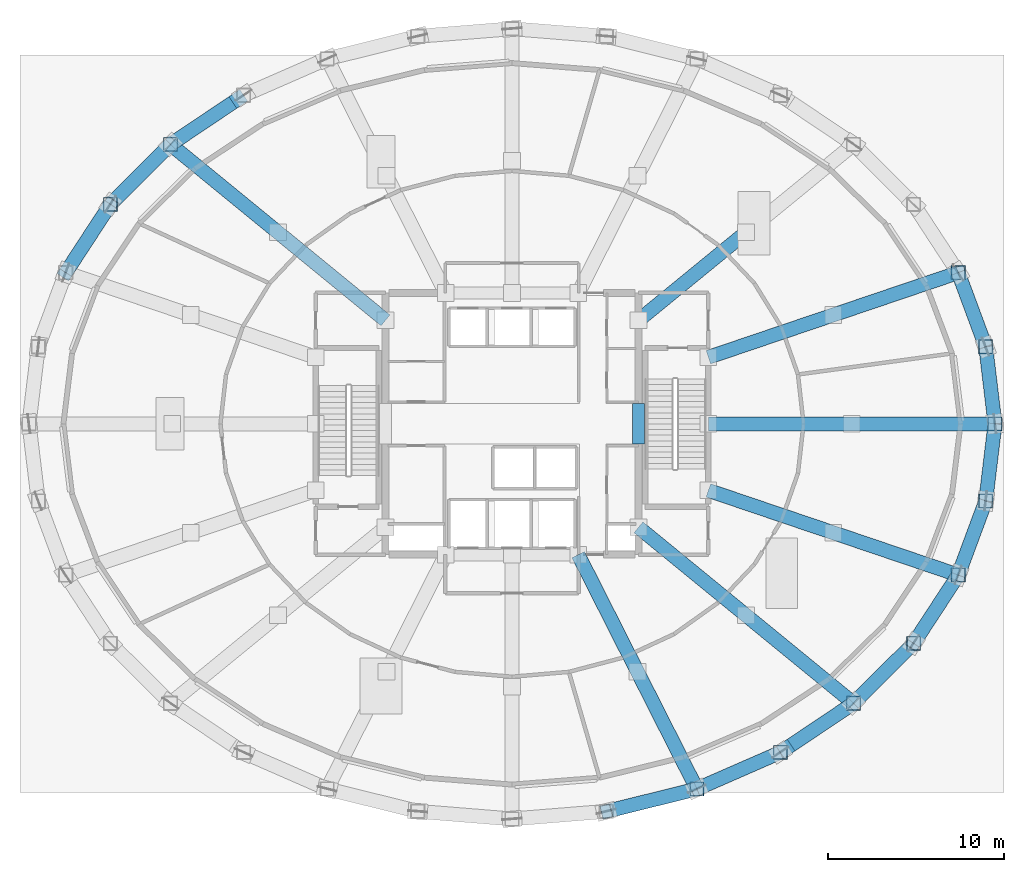
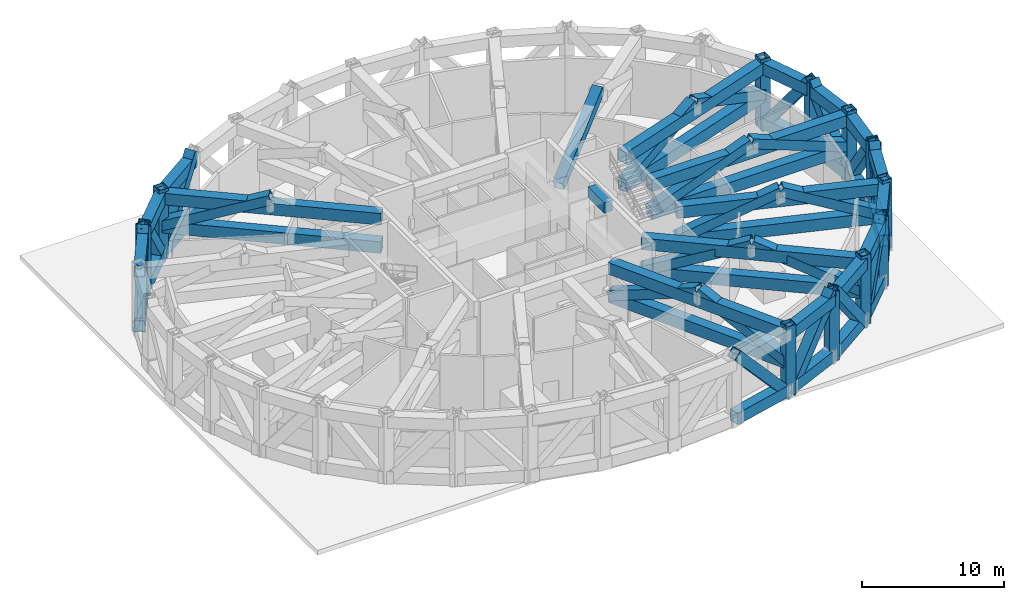
# One storey, part 2 of 12: 36 beams, 35 members.
"""IFC4 building model written with IfcOpenShell, lengths in metres."""

from ifc_helpers import new_model, si_unit, direction, frame, origin, origin_2d, place, context, subcontext, project, spatial, rectangle, hollow_rectangle, extrude, material, material_profile, profile_set, type_object, element, save


model = new_model("IFC4")

# Units and contexts
model_context = context("Model", 3, precision=1e-05, world=origin(), true_north=direction((0.0, 1.0)))
body_context = subcontext(model_context, "Body", "Model", "MODEL_VIEW")
ifc_project = project(units=[si_unit("LENGTHUNIT", "METRE"), si_unit("AREAUNIT", "SQUARE_METRE"), si_unit("VOLUMEUNIT", "CUBIC_METRE"), si_unit("PLANEANGLEUNIT", "RADIAN"), si_unit("MASSUNIT", "GRAM", prefix="KILO")], contexts=[model_context])

# Site, building, storey
site_placement = place(None, origin())
site = spatial("IfcSite", under=ifc_project, at=site_placement, CompositionType="ELEMENT")
building_placement = place(site_placement, origin())
building = spatial("IfcBuilding", under=site, at=building_placement, Name="Veldorina Hangang Commons", CompositionType="ELEMENT")
storey_placement = place(building_placement, frame((0.0, 0.0, 24.39990234375)))
storey = spatial("IfcBuildingStorey", under=building, at=storey_placement, Name="L05", CompositionType="ELEMENT", Elevation=24.39990234375)

# Beams
ifc_material_1 = material(Name="Concrete C70/85", Category="concrete")
ifc_material_profile_1 = material_profile(ifc_material_1, rectangle(XDim=0.699951171875, YDim=0.89990234375, at=origin_2d()), Name="RC-CB-700x900")
ifc_profile_set_1 = profile_set([ifc_material_profile_1], Name="Concrete C70/85")
beam_type_1 = type_object("IfcBeamType", Name="BM-CB900", PredefinedType="LINTEL", material=ifc_profile_set_1)
beam_1_placement = place(storey_placement, frame((39.199951171875, 22.85009765625, 5.2900390625), z_axis=(0.0, 1.0, 0.0), x_axis=(-1.0, 0.0, 0.0)))
element("IfcBeam", 1, at=beam_1_placement, inside=storey, type_object=beam_type_1, Name="L05 E core coupling lintel beam", PredefinedType="LINTEL", context=body_context, shape_type="SweptSolid", body=[
    extrude(rectangle(XDim=0.699951171875, YDim=0.89990234375, at=origin_2d()), origin(), (0.0, 0.0, 1.0), 2.2998046875),
])
ifc_material_2 = material(Name="Steel SM490-TMC", Category="steel")
ifc_material_profile_2 = material_profile(ifc_material_2, hollow_rectangle(XDim=0.800048828125, YDim=1.0, WallThickness=0.044921875, at=origin_2d()), Name="BOX-1000x800x45")
ifc_profile_set_2 = profile_set([ifc_material_profile_2], Name="Steel SM490-TMC")
beam_type_2 = type_object("IfcBeamType", Name="BM-TRF1000", PredefinedType="BEAM", material=ifc_profile_set_2)
for number, where, z_axis, x_axis, name in (
    (2, (59.5, 24.0, 5.239990234375), (-0.119500148591, 0.992834182775, 0.0), (-0.992834182775, -0.119500148591, 0.0), "L05 transfer truss top chord 00"),
    (3, (59.5, 24.0, 0.5), (-0.119500148591, 0.992834182775, 0.0), (-0.992834182775, -0.119500148591, 0.0), "L05 transfer truss bottom chord 00"),
):
    element("IfcBeam", number, at=place(storey_placement, frame(where, z_axis=z_axis, x_axis=x_axis)), inside=storey, type_object=beam_type_2, Name=name, PredefinedType="BEAM", context=body_context, shape_type="SweptSolid", body=[
        extrude(hollow_rectangle(XDim=0.800048828125, YDim=1.0, WallThickness=0.044921875, at=origin_2d()), origin(), (0.0, 0.0, 1.0), 4.421142578125),
    ])
for number, where, z_axis, x_axis, name in (
    (4, (58.9716796875, 28.389404296875, 5.239990234375), (-0.347632274858, 0.937630951642, 0.0), (-0.937630951642, -0.347632274858, 0.0), "L05 transfer truss top chord 01"),
    (5, (58.9716796875, 28.389404296875, 0.5), (-0.347632274858, 0.937630951642, 0.0), (-0.937630951642, -0.347632274858, 0.0), "L05 transfer truss bottom chord 01"),
):
    element("IfcBeam", number, at=place(storey_placement, frame(where, z_axis=z_axis, x_axis=x_axis)), inside=storey, type_object=beam_type_2, Name=name, PredefinedType="BEAM", context=body_context, shape_type="SweptSolid", body=[
        extrude(hollow_rectangle(XDim=0.800048828125, YDim=1.0, WallThickness=0.044921875, at=origin_2d()), origin(), (0.0, 0.0, 1.0), 4.501708984375),
    ])
for number, where, z_axis, x_axis, name in (
    (6, (16.7216796875, 42.7080078125, 5.239990234375), (-0.830197333269, -0.557469629517, 0.0), (0.557469629517, -0.830197333269, 0.0), "L05 transfer truss top chord 11"),
    (7, (16.7216796875, 42.7080078125, 0.5), (-0.830197333269, -0.557469629517, 0.0), (0.557469629517, -0.830197333269, 0.0), "L05 transfer truss bottom chord 11"),
):
    element("IfcBeam", number, at=place(storey_placement, frame(where, z_axis=z_axis, x_axis=x_axis)), inside=storey, type_object=beam_type_2, Name=name, PredefinedType="BEAM", context=body_context, shape_type="SweptSolid", body=[
        extrude(hollow_rectangle(XDim=0.800048828125, YDim=1.0, WallThickness=0.044921875, at=origin_2d()), origin(), (0.0, 0.0, 1.0), 5.019287109375),
    ])
for number, where, z_axis, x_axis, name in (
    (8, (12.5546875, 39.909912109375, 5.239990234375), (-0.708192829004, -0.706019062736, 0.0), (0.706019062736, -0.708192829004, 0.0), "L05 transfer truss top chord 12"),
    (9, (12.5546875, 39.909912109375, 0.5), (-0.708192829004, -0.706019062736, 0.0), (0.706019062736, -0.708192829004, 0.0), "L05 transfer truss bottom chord 12"),
):
    element("IfcBeam", number, at=place(storey_placement, frame(where, z_axis=z_axis, x_axis=x_axis)), inside=storey, type_object=beam_type_2, Name=name, PredefinedType="BEAM", context=body_context, shape_type="SweptSolid", body=[
        extrude(hollow_rectangle(XDim=0.800048828125, YDim=1.0, WallThickness=0.044921875, at=origin_2d()), origin(), (0.0, 0.0, 1.0), 4.829345703125),
    ])
for number, where, z_axis, x_axis, name in (
    (10, (9.134521484375, 36.500244140625, 5.239990234375), (-0.546927961762, -0.837179672856, 0.0), (0.837179672856, -0.546927961762, 0.0), "L05 transfer truss top chord 13"),
    (11, (9.134521484375, 36.500244140625, 0.5), (-0.546927961762, -0.837179672856, 0.0), (0.837179672856, -0.546927961762, 0.0), "L05 transfer truss bottom chord 13"),
):
    element("IfcBeam", number, at=place(storey_placement, frame(where, z_axis=z_axis, x_axis=x_axis)), inside=storey, type_object=beam_type_2, Name=name, PredefinedType="BEAM", context=body_context, shape_type="SweptSolid", body=[
        extrude(hollow_rectangle(XDim=0.800048828125, YDim=1.0, WallThickness=0.044921875, at=origin_2d()), origin(), (0.0, 0.0, 1.0), 4.646484375),
    ])
beam_2_placement = place(storey_placement, frame((37.364990234375, 1.932373046875, 0.5), z_axis=(0.970557168318, 0.240870884556, 0.0), x_axis=(-0.240870884556, 0.970557168318, 0.0)))
element("IfcBeam", 12, at=beam_2_placement, inside=storey, type_object=beam_type_2, Name="L05 transfer truss bottom chord 25", PredefinedType="BEAM", context=body_context, shape_type="SweptSolid", body=[
    extrude(hollow_rectangle(XDim=0.800048828125, YDim=1.0, WallThickness=0.044921875, at=origin_2d()), origin(), (0.0, 0.0, 1.0), 5.315185546875),
])
for number, where, z_axis, x_axis, name in (
    (13, (42.523681640625, 3.212646484375, 5.239990234375), (0.916214551617, 0.400688027529, 0.0), (-0.400688027529, 0.916214551617, 0.0), "L05 transfer truss top chord 26"),
    (14, (42.523681640625, 3.212646484375, 0.5), (0.916214551617, 0.400688027529, 0.0), (-0.400688027529, 0.916214551617, 0.0), "L05 transfer truss bottom chord 26"),
):
    element("IfcBeam", number, at=place(storey_placement, frame(where, z_axis=z_axis, x_axis=x_axis)), inside=storey, type_object=beam_type_2, Name=name, PredefinedType="BEAM", context=body_context, shape_type="SweptSolid", body=[
        extrude(hollow_rectangle(XDim=0.800048828125, YDim=1.0, WallThickness=0.044921875, at=origin_2d()), origin(), (0.0, 0.0, 1.0), 5.189453125),
    ])
for number, where, z_axis, x_axis, name in (
    (15, (47.2783203125, 5.2919921875, 5.239990234375), (0.830197333269, 0.557469629517, 0.0), (-0.557469629517, 0.830197333269, 0.0), "L05 transfer truss top chord 27"),
    (16, (47.2783203125, 5.2919921875, 0.5), (0.830197333269, 0.557469629517, 0.0), (-0.557469629517, 0.830197333269, 0.0), "L05 transfer truss bottom chord 27"),
):
    element("IfcBeam", number, at=place(storey_placement, frame(where, z_axis=z_axis, x_axis=x_axis)), inside=storey, type_object=beam_type_2, Name=name, PredefinedType="BEAM", context=body_context, shape_type="SweptSolid", body=[
        extrude(hollow_rectangle(XDim=0.800048828125, YDim=1.0, WallThickness=0.044921875, at=origin_2d()), origin(), (0.0, 0.0, 1.0), 5.019287109375),
    ])
for number, where, z_axis, x_axis, name in (
    (17, (51.4453125, 8.090087890625, 5.239990234375), (0.708192829004, 0.706019062736, 0.0), (-0.706019062736, 0.708192829004, 0.0), "L05 transfer truss top chord 28"),
    (18, (51.4453125, 8.090087890625, 0.5), (0.708192829004, 0.706019062736, 0.0), (-0.706019062736, 0.708192829004, 0.0), "L05 transfer truss bottom chord 28"),
):
    element("IfcBeam", number, at=place(storey_placement, frame(where, z_axis=z_axis, x_axis=x_axis)), inside=storey, type_object=beam_type_2, Name=name, PredefinedType="BEAM", context=body_context, shape_type="SweptSolid", body=[
        extrude(hollow_rectangle(XDim=0.800048828125, YDim=1.0, WallThickness=0.044921875, at=origin_2d()), origin(), (0.0, 0.0, 1.0), 4.829345703125),
    ])
for number, where, z_axis, x_axis, name in (
    (19, (54.865478515625, 11.499755859375, 5.239990234375), (0.546927961762, 0.837179672856, 0.0), (-0.837179672856, 0.546927961762, 0.0), "L05 transfer truss top chord 29"),
    (20, (54.865478515625, 11.499755859375, 0.5), (0.546927961762, 0.837179672856, 0.0), (-0.837179672856, 0.546927961762, 0.0), "L05 transfer truss bottom chord 29"),
):
    element("IfcBeam", number, at=place(storey_placement, frame(where, z_axis=z_axis, x_axis=x_axis)), inside=storey, type_object=beam_type_2, Name=name, PredefinedType="BEAM", context=body_context, shape_type="SweptSolid", body=[
        extrude(hollow_rectangle(XDim=0.800048828125, YDim=1.0, WallThickness=0.044921875, at=origin_2d()), origin(), (0.0, 0.0, 1.0), 4.646484375),
    ])
for number, where, z_axis, x_axis, name in (
    (21, (57.40673828125, 15.3896484375, 5.239990234375), (0.347632274858, 0.937630951642, 0.0), (-0.937630951642, 0.347632274858, 0.0), "L05 transfer truss top chord 30"),
    (22, (57.40673828125, 15.3896484375, 0.5), (0.347632274858, 0.937630951642, 0.0), (-0.937630951642, 0.347632274858, 0.0), "L05 transfer truss bottom chord 30"),
):
    element("IfcBeam", number, at=place(storey_placement, frame(where, z_axis=z_axis, x_axis=x_axis)), inside=storey, type_object=beam_type_2, Name=name, PredefinedType="BEAM", context=body_context, shape_type="SweptSolid", body=[
        extrude(hollow_rectangle(XDim=0.800048828125, YDim=1.0, WallThickness=0.044921875, at=origin_2d()), origin(), (0.0, 0.0, 1.0), 4.501708984375),
    ])
for number, where, z_axis, x_axis, name in (
    (23, (58.9716796875, 19.610595703125, 5.239990234375), (0.119500148591, 0.992834182775, 0.0), (-0.992834182775, 0.119500148591, 0.0), "L05 transfer truss top chord 31"),
    (24, (58.9716796875, 19.610595703125, 0.5), (0.119500148591, 0.992834182775, 0.0), (-0.992834182775, 0.119500148591, 0.0), "L05 transfer truss bottom chord 31"),
):
    element("IfcBeam", number, at=place(storey_placement, frame(where, z_axis=z_axis, x_axis=x_axis)), inside=storey, type_object=beam_type_2, Name=name, PredefinedType="BEAM", context=body_context, shape_type="SweptSolid", body=[
        extrude(hollow_rectangle(XDim=0.800048828125, YDim=1.0, WallThickness=0.044921875, at=origin_2d()), origin(), (0.0, 0.0, 1.0), 4.421142578125),
    ])
for number, where, z_axis, x_axis, name in (
    (25, (43.179931640625, 24.0, 5.239990234375), (1.0, 0.0, 0.0), (0.0, 1.0, 0.0), "L05 radial transfer top girder 01"),
    (26, (43.179931640625, 24.0, 2.800048828125), (1.0, 0.0, 0.0), (0.0, 1.0, 0.0), "L05 radial transfer bottom girder 01"),
):
    element("IfcBeam", number, at=place(storey_placement, frame(where, z_axis=z_axis, x_axis=x_axis)), inside=storey, type_object=beam_type_2, Name=name, PredefinedType="BEAM", context=body_context, shape_type="SweptSolid", body=[
        extrude(hollow_rectangle(XDim=0.800048828125, YDim=1.0, WallThickness=0.044921875, at=origin_2d()), origin(), (0.0, 0.0, 1.0), 16.320068359375),
    ])
for number, where, z_axis, x_axis, name in (
    (27, (43.179931640625, 27.788818359375, 5.239990234375), (0.947088407114, 0.320972816778, 0.0), (-0.320972816778, 0.947088407114, 0.0), "L05 radial transfer top girder 02"),
    (28, (43.179931640625, 27.788818359375, 2.800048828125), (0.947088407114, 0.320972816778, 0.0), (-0.320972816778, 0.947088407114, 0.0), "L05 radial transfer bottom girder 02"),
):
    element("IfcBeam", number, at=place(storey_placement, frame(where, z_axis=z_axis, x_axis=x_axis)), inside=storey, type_object=beam_type_2, Name=name, PredefinedType="BEAM", context=body_context, shape_type="SweptSolid", body=[
        extrude(hollow_rectangle(XDim=0.800048828125, YDim=1.0, WallThickness=0.044921875, at=origin_2d()), origin(), (0.0, 0.0, 1.0), 15.021728515625),
    ])
for number, where, z_axis, x_axis, name in (
    (29, (24.800048828125, 29.890869140625, 5.239990234375), (-0.773953861676, 0.633241991656, 0.0), (-0.633241991656, -0.773953861676, 0.0), "L05 radial transfer top girder 07"),
    (30, (24.800048828125, 29.890869140625, 2.800048828125), (-0.773953861676, 0.633241991656, 0.0), (-0.633241991656, -0.773953861676, 0.0), "L05 radial transfer bottom girder 07"),
):
    element("IfcBeam", number, at=place(storey_placement, frame(where, z_axis=z_axis, x_axis=x_axis)), inside=storey, type_object=beam_type_2, Name=name, PredefinedType="BEAM", context=body_context, shape_type="SweptSolid", body=[
        extrude(hollow_rectangle(XDim=0.800048828125, YDim=1.0, WallThickness=0.044921875, at=origin_2d()), origin(), (0.0, 0.0, 1.0), 15.82177734375),
    ])
for number, where, z_axis, x_axis, name in (
    (31, (35.771484375, 16.550048828125, 5.239990234375), (0.451676273597, -0.892181900662, 0.0), (0.892181900662, 0.451676273597, 0.0), "L05 radial transfer top girder 14"),
    (32, (35.771484375, 16.550048828125, 2.800048828125), (0.451676273597, -0.892181900662, 0.0), (0.892181900662, 0.451676273597, 0.0), "L05 radial transfer bottom girder 14"),
):
    element("IfcBeam", number, at=place(storey_placement, frame(where, z_axis=z_axis, x_axis=x_axis)), inside=storey, type_object=beam_type_2, Name=name, PredefinedType="BEAM", context=body_context, shape_type="SweptSolid", body=[
        extrude(hollow_rectangle(XDim=0.800048828125, YDim=1.0, WallThickness=0.044921875, at=origin_2d()), origin(), (0.0, 0.0, 1.0), 14.94921875),
    ])
for number, where, z_axis, x_axis, name in (
    (33, (39.199951171875, 18.109130859375, 5.239990234375), (0.773953861676, -0.633241991656, 0.0), (0.633241991656, 0.773953861676, 0.0), "L05 radial transfer top girder 15"),
    (34, (39.199951171875, 18.109130859375, 2.800048828125), (0.773953861676, -0.633241991656, 0.0), (0.633241991656, 0.773953861676, 0.0), "L05 radial transfer bottom girder 15"),
):
    element("IfcBeam", number, at=place(storey_placement, frame(where, z_axis=z_axis, x_axis=x_axis)), inside=storey, type_object=beam_type_2, Name=name, PredefinedType="BEAM", context=body_context, shape_type="SweptSolid", body=[
        extrude(hollow_rectangle(XDim=0.800048828125, YDim=1.0, WallThickness=0.044921875, at=origin_2d()), origin(), (0.0, 0.0, 1.0), 15.82177734375),
    ])
for number, where, z_axis, x_axis, name in (
    (35, (43.179931640625, 20.211181640625, 5.239990234375), (0.947088407114, -0.320972816778, 0.0), (0.320972816778, 0.947088407114, 0.0), "L05 radial transfer top girder 16"),
    (36, (43.179931640625, 20.211181640625, 2.800048828125), (0.947088407114, -0.320972816778, 0.0), (0.320972816778, 0.947088407114, 0.0), "L05 radial transfer bottom girder 16"),
):
    element("IfcBeam", number, at=place(storey_placement, frame(where, z_axis=z_axis, x_axis=x_axis)), inside=storey, type_object=beam_type_2, Name=name, PredefinedType="BEAM", context=body_context, shape_type="SweptSolid", body=[
        extrude(hollow_rectangle(XDim=0.800048828125, YDim=1.0, WallThickness=0.044921875, at=origin_2d()), origin(), (0.0, 0.0, 1.0), 15.021728515625),
    ])

# Members
ifc_material_profile_3 = material_profile(ifc_material_2, hollow_rectangle(XDim=0.800048828125, YDim=0.800048828125, WallThickness=0.0400390625, at=origin_2d()), Name="BOX-800x800x40")
ifc_profile_set_3 = profile_set([ifc_material_profile_3], Name="Steel SM490-TMC")
member_type = type_object("IfcMemberType", Name="TR-BOX800", PredefinedType="BRACE", material=ifc_profile_set_3)
member_1_placement = place(storey_placement, frame((59.5, 24.0, 0.0), z_axis=(0.0, 0.0, 1.0), x_axis=(1.0, 0.0, 0.0)))
element("IfcMember", 37, at=member_1_placement, inside=storey, type_object=member_type, Name="L05 transfer truss vertical post 00", PredefinedType="BRACE", context=body_context, shape_type="SweptSolid", body=[
    extrude(hollow_rectangle(XDim=0.800048828125, YDim=0.800048828125, WallThickness=0.0400390625, at=origin_2d()), origin(), (0.0, 0.0, 1.0), 6.0),
])
member_2_placement = place(storey_placement, frame((59.5, 24.0, 0.0), z_axis=(-0.070887709391, 0.58895107539, 0.805053764325), x_axis=(-0.992834182775, -0.119500148591, 0.0)))
element("IfcMember", 38, at=member_2_placement, inside=storey, type_object=member_type, Name="L05 transfer perimeter diagonal 00", PredefinedType="BRACE", context=body_context, shape_type="SweptSolid", body=[
    extrude(hollow_rectangle(XDim=0.800048828125, YDim=0.800048828125, WallThickness=0.0400390625, at=origin_2d()), origin(), (0.0, 0.0, 1.0), 7.452880859375),
])
member_3_placement = place(storey_placement, frame((58.9716796875, 28.389404296875, 0.0), z_axis=(0.0, 0.0, 1.0), x_axis=(1.0, 0.0, 0.0)))
element("IfcMember", 39, at=member_3_placement, inside=storey, type_object=member_type, Name="L05 transfer truss vertical post 01", PredefinedType="BRACE", context=body_context, shape_type="SweptSolid", body=[
    extrude(hollow_rectangle(XDim=0.800048828125, YDim=0.800048828125, WallThickness=0.0400390625, at=origin_2d()), origin(), (0.0, 0.0, 1.0), 6.0),
])
member_4_placement = place(storey_placement, frame((58.9716796875, 28.389404296875, 6.0), z_axis=(-0.208630227568, 0.56271575732, -0.799890245352), x_axis=(-0.937630951642, -0.347632274858, 0.0)))
element("IfcMember", 40, at=member_4_placement, inside=storey, type_object=member_type, Name="L05 transfer perimeter diagonal 01", PredefinedType="BRACE", context=body_context, shape_type="SweptSolid", body=[
    extrude(hollow_rectangle(XDim=0.800048828125, YDim=0.800048828125, WallThickness=0.0400390625, at=origin_2d()), origin(), (0.0, 0.0, 1.0), 7.5009765625),
])
member_5_placement = place(storey_placement, frame((57.40673828125, 32.6103515625, 0.0), z_axis=(0.0, 0.0, 1.0), x_axis=(1.0, 0.0, 0.0)))
element("IfcMember", 41, at=member_5_placement, inside=storey, type_object=member_type, Name="L05 transfer truss vertical post 02", PredefinedType="BRACE", context=body_context, shape_type="SweptSolid", body=[
    extrude(hollow_rectangle(XDim=0.800048828125, YDim=0.800048828125, WallThickness=0.0400390625, at=origin_2d()), origin(), (0.0, 0.0, 1.0), 6.0),
])
member_6_placement = place(storey_placement, frame((16.7216796875, 42.7080078125, 6.0), z_axis=(-0.532685939643, -0.35769355251, -0.767007830599), x_axis=(0.557469629517, -0.830197333269, 0.0)))
element("IfcMember", 42, at=member_6_placement, inside=storey, type_object=member_type, Name="L05 transfer perimeter diagonal 11", PredefinedType="BRACE", context=body_context, shape_type="SweptSolid", body=[
    extrude(hollow_rectangle(XDim=0.800048828125, YDim=0.800048828125, WallThickness=0.0400390625, at=origin_2d()), origin(), (0.0, 0.0, 1.0), 7.822509765625),
])
member_7_placement = place(storey_placement, frame((12.5546875, 39.909912109375, 0.0), z_axis=(0.0, 0.0, 1.0), x_axis=(1.0, 0.0, 0.0)))
element("IfcMember", 43, at=member_7_placement, inside=storey, type_object=member_type, Name="L05 transfer truss vertical post 12", PredefinedType="BRACE", context=body_context, shape_type="SweptSolid", body=[
    extrude(hollow_rectangle(XDim=0.800048828125, YDim=0.800048828125, WallThickness=0.0400390625, at=origin_2d()), origin(), (0.0, 0.0, 1.0), 6.0),
])
member_8_placement = place(storey_placement, frame((12.5546875, 39.909912109375, 0.0), z_axis=(-0.444052455287, -0.442689456102, 0.779001580493), x_axis=(0.706019062736, -0.708192829004, 0.0)))
element("IfcMember", 44, at=member_8_placement, inside=storey, type_object=member_type, Name="L05 transfer perimeter diagonal 12", PredefinedType="BRACE", context=body_context, shape_type="SweptSolid", body=[
    extrude(hollow_rectangle(XDim=0.800048828125, YDim=0.800048828125, WallThickness=0.0400390625, at=origin_2d()), origin(), (0.0, 0.0, 1.0), 7.7021484375),
])
member_9_placement = place(storey_placement, frame((9.134521484375, 36.500244140625, 0.0), z_axis=(0.0, 0.0, 1.0), x_axis=(1.0, 0.0, 0.0)))
element("IfcMember", 45, at=member_9_placement, inside=storey, type_object=member_type, Name="L05 transfer truss vertical post 13", PredefinedType="BRACE", context=body_context, shape_type="SweptSolid", body=[
    extrude(hollow_rectangle(XDim=0.800048828125, YDim=0.800048828125, WallThickness=0.0400390625, at=origin_2d()), origin(), (0.0, 0.0, 1.0), 6.0),
])
member_10_placement = place(storey_placement, frame((9.134521484375, 36.500244140625, 6.0), z_axis=(-0.334871579761, -0.512586115893, -0.790643091959), x_axis=(0.837179672856, -0.546927961762, 0.0)))
element("IfcMember", 46, at=member_10_placement, inside=storey, type_object=member_type, Name="L05 transfer perimeter diagonal 13", PredefinedType="BRACE", context=body_context, shape_type="SweptSolid", body=[
    extrude(hollow_rectangle(XDim=0.800048828125, YDim=0.800048828125, WallThickness=0.0400390625, at=origin_2d()), origin(), (0.0, 0.0, 1.0), 7.5888671875),
])
member_11_placement = place(storey_placement, frame((37.364990234375, 1.932373046875, 6.0), z_axis=(0.643574661969, 0.159721037736, -0.748532460603), x_axis=(-0.240870884556, 0.970557168318, 0.0)))
element("IfcMember", 47, at=member_11_placement, inside=storey, type_object=member_type, Name="L05 transfer perimeter diagonal 25", PredefinedType="BRACE", context=body_context, shape_type="SweptSolid", body=[
    extrude(hollow_rectangle(XDim=0.800048828125, YDim=0.800048828125, WallThickness=0.0400390625, at=origin_2d()), origin(), (0.0, 0.0, 1.0), 8.015625),
])
member_12_placement = place(storey_placement, frame((42.523681640625, 3.212646484375, 0.0), z_axis=(0.0, 0.0, 1.0), x_axis=(1.0, 0.0, 0.0)))
element("IfcMember", 48, at=member_12_placement, inside=storey, type_object=member_type, Name="L05 transfer truss vertical post 26", PredefinedType="BRACE", context=body_context, shape_type="SweptSolid", body=[
    extrude(hollow_rectangle(XDim=0.800048828125, YDim=0.800048828125, WallThickness=0.0400390625, at=origin_2d()), origin(), (0.0, 0.0, 1.0), 6.0),
])
member_13_placement = place(storey_placement, frame((42.523681640625, 3.212646484375, 0.0), z_axis=(0.599359964024, 0.262118039209, 0.756347649594), x_axis=(-0.400688027529, 0.916214551617, 0.0)))
element("IfcMember", 49, at=member_13_placement, inside=storey, type_object=member_type, Name="L05 transfer perimeter diagonal 26", PredefinedType="BRACE", context=body_context, shape_type="SweptSolid", body=[
    extrude(hollow_rectangle(XDim=0.800048828125, YDim=0.800048828125, WallThickness=0.0400390625, at=origin_2d()), origin(), (0.0, 0.0, 1.0), 7.932861328125),
])
member_14_placement = place(storey_placement, frame((47.2783203125, 5.2919921875, 0.0), z_axis=(0.0, 0.0, 1.0), x_axis=(1.0, 0.0, 0.0)))
element("IfcMember", 50, at=member_14_placement, inside=storey, type_object=member_type, Name="L05 transfer truss vertical post 27", PredefinedType="BRACE", context=body_context, shape_type="SweptSolid", body=[
    extrude(hollow_rectangle(XDim=0.800048828125, YDim=0.800048828125, WallThickness=0.0400390625, at=origin_2d()), origin(), (0.0, 0.0, 1.0), 6.0),
])
member_15_placement = place(storey_placement, frame((47.2783203125, 5.2919921875, 6.0), z_axis=(0.532685939643, 0.35769355251, -0.767007830599), x_axis=(-0.557469629517, 0.830197333269, 0.0)))
element("IfcMember", 51, at=member_15_placement, inside=storey, type_object=member_type, Name="L05 transfer perimeter diagonal 27", PredefinedType="BRACE", context=body_context, shape_type="SweptSolid", body=[
    extrude(hollow_rectangle(XDim=0.800048828125, YDim=0.800048828125, WallThickness=0.0400390625, at=origin_2d()), origin(), (0.0, 0.0, 1.0), 7.822509765625),
])
member_16_placement = place(storey_placement, frame((51.4453125, 8.090087890625, 0.0), z_axis=(0.0, 0.0, 1.0), x_axis=(1.0, 0.0, 0.0)))
element("IfcMember", 52, at=member_16_placement, inside=storey, type_object=member_type, Name="L05 transfer truss vertical post 28", PredefinedType="BRACE", context=body_context, shape_type="SweptSolid", body=[
    extrude(hollow_rectangle(XDim=0.800048828125, YDim=0.800048828125, WallThickness=0.0400390625, at=origin_2d()), origin(), (0.0, 0.0, 1.0), 6.0),
])
member_17_placement = place(storey_placement, frame((51.4453125, 8.090087890625, 0.0), z_axis=(0.444052455287, 0.442689456102, 0.779001580493), x_axis=(-0.706019062736, 0.708192829004, 0.0)))
element("IfcMember", 53, at=member_17_placement, inside=storey, type_object=member_type, Name="L05 transfer perimeter diagonal 28", PredefinedType="BRACE", context=body_context, shape_type="SweptSolid", body=[
    extrude(hollow_rectangle(XDim=0.800048828125, YDim=0.800048828125, WallThickness=0.0400390625, at=origin_2d()), origin(), (0.0, 0.0, 1.0), 7.7021484375),
])
member_18_placement = place(storey_placement, frame((54.865478515625, 11.499755859375, 0.0), z_axis=(0.0, 0.0, 1.0), x_axis=(1.0, 0.0, 0.0)))
element("IfcMember", 54, at=member_18_placement, inside=storey, type_object=member_type, Name="L05 transfer truss vertical post 29", PredefinedType="BRACE", context=body_context, shape_type="SweptSolid", body=[
    extrude(hollow_rectangle(XDim=0.800048828125, YDim=0.800048828125, WallThickness=0.0400390625, at=origin_2d()), origin(), (0.0, 0.0, 1.0), 6.0),
])
member_19_placement = place(storey_placement, frame((54.865478515625, 11.499755859375, 6.0), z_axis=(0.334871579761, 0.512586115893, -0.790643091959), x_axis=(-0.837179672856, 0.546927961762, 0.0)))
element("IfcMember", 55, at=member_19_placement, inside=storey, type_object=member_type, Name="L05 transfer perimeter diagonal 29", PredefinedType="BRACE", context=body_context, shape_type="SweptSolid", body=[
    extrude(hollow_rectangle(XDim=0.800048828125, YDim=0.800048828125, WallThickness=0.0400390625, at=origin_2d()), origin(), (0.0, 0.0, 1.0), 7.5888671875),
])
member_20_placement = place(storey_placement, frame((57.40673828125, 15.3896484375, 0.0), z_axis=(0.0, 0.0, 1.0), x_axis=(1.0, 0.0, 0.0)))
element("IfcMember", 56, at=member_20_placement, inside=storey, type_object=member_type, Name="L05 transfer truss vertical post 30", PredefinedType="BRACE", context=body_context, shape_type="SweptSolid", body=[
    extrude(hollow_rectangle(XDim=0.800048828125, YDim=0.800048828125, WallThickness=0.0400390625, at=origin_2d()), origin(), (0.0, 0.0, 1.0), 6.0),
])
member_21_placement = place(storey_placement, frame((57.40673828125, 15.3896484375, 0.0), z_axis=(0.208630227568, 0.56271575732, 0.799890245352), x_axis=(-0.937630951642, 0.347632274858, 0.0)))
element("IfcMember", 57, at=member_21_placement, inside=storey, type_object=member_type, Name="L05 transfer perimeter diagonal 30", PredefinedType="BRACE", context=body_context, shape_type="SweptSolid", body=[
    extrude(hollow_rectangle(XDim=0.800048828125, YDim=0.800048828125, WallThickness=0.0400390625, at=origin_2d()), origin(), (0.0, 0.0, 1.0), 7.5009765625),
])
member_22_placement = place(storey_placement, frame((58.9716796875, 19.610595703125, 0.0), z_axis=(0.0, 0.0, 1.0), x_axis=(1.0, 0.0, 0.0)))
element("IfcMember", 58, at=member_22_placement, inside=storey, type_object=member_type, Name="L05 transfer truss vertical post 31", PredefinedType="BRACE", context=body_context, shape_type="SweptSolid", body=[
    extrude(hollow_rectangle(XDim=0.800048828125, YDim=0.800048828125, WallThickness=0.0400390625, at=origin_2d()), origin(), (0.0, 0.0, 1.0), 6.0),
])
member_23_placement = place(storey_placement, frame((58.9716796875, 19.610595703125, 6.0), z_axis=(0.070887709391, 0.58895107539, -0.805053764325), x_axis=(-0.992834182775, 0.119500148591, 0.0)))
element("IfcMember", 59, at=member_23_placement, inside=storey, type_object=member_type, Name="L05 transfer perimeter diagonal 31", PredefinedType="BRACE", context=body_context, shape_type="SweptSolid", body=[
    extrude(hollow_rectangle(XDim=0.800048828125, YDim=0.800048828125, WallThickness=0.0400390625, at=origin_2d()), origin(), (0.0, 0.0, 1.0), 7.452880859375),
])
member_24_placement = place(storey_placement, frame((43.179931640625, 24.0, 2.85009765625), z_axis=(0.932908982986, 0.0, 0.360112245646), x_axis=(0.0, 1.0, 0.0)))
element("IfcMember", 60, at=member_24_placement, inside=storey, type_object=member_type, Name="L05 radial transfer inner web brace 01", PredefinedType="BRACE", context=body_context, shape_type="SweptSolid", body=[
    extrude(hollow_rectangle(XDim=0.800048828125, YDim=0.800048828125, WallThickness=0.0400390625, at=origin_2d()), origin(), (0.0, 0.0, 1.0), 8.7470703125),
])
member_25_placement = place(storey_placement, frame((51.340087890625, 24.0, 6.0), z_axis=(0.932905363277, 0.0, -0.360121622745), x_axis=(0.0, 1.0, 0.0)))
element("IfcMember", 61, at=member_25_placement, inside=storey, type_object=member_type, Name="L05 radial transfer outer web brace 01", PredefinedType="BRACE", context=body_context, shape_type="SweptSolid", body=[
    extrude(hollow_rectangle(XDim=0.800048828125, YDim=0.800048828125, WallThickness=0.0400390625, at=origin_2d()), origin(), (0.0, 0.0, 1.0), 8.746826171875),
])
member_26_placement = place(storey_placement, frame((43.179931640625, 27.788818359375, 2.85009765625), z_axis=(0.873390710369, 0.296006221124, 0.386741495184), x_axis=(-0.320982454147, 0.947085140909, 0.0)))
element("IfcMember", 62, at=member_26_placement, inside=storey, type_object=member_type, Name="L05 radial transfer inner web brace 02", PredefinedType="BRACE", context=body_context, shape_type="SweptSolid", body=[
    extrude(hollow_rectangle(XDim=0.800048828125, YDim=0.800048828125, WallThickness=0.0400390625, at=origin_2d()), origin(), (0.0, 0.0, 1.0), 8.144775390625),
])
member_27_placement = place(storey_placement, frame((50.29345703125, 30.19970703125, 6.0), z_axis=(0.873391349829, 0.295986620957, -0.386755052014), x_axis=(-0.320963178978, 0.947091673356, 0.0)))
element("IfcMember", 63, at=member_27_placement, inside=storey, type_object=member_type, Name="L05 radial transfer outer web brace 02", PredefinedType="BRACE", context=body_context, shape_type="SweptSolid", body=[
    extrude(hollow_rectangle(XDim=0.800048828125, YDim=0.800048828125, WallThickness=0.0400390625, at=origin_2d()), origin(), (0.0, 0.0, 1.0), 8.14453125),
])
member_28_placement = place(storey_placement, frame((39.199951171875, 29.890869140625, 2.85009765625), z_axis=(0.719057437681, 0.588314508704, 0.36992220826), x_axis=(-0.633234429165, 0.773960049176, 0.0)))
element("IfcMember", 64, at=member_28_placement, inside=storey, type_object=member_type, Name="L05 radial transfer inner web brace 03", PredefinedType="BRACE", context=body_context, shape_type="SweptSolid", body=[
    extrude(hollow_rectangle(XDim=0.800048828125, YDim=0.800048828125, WallThickness=0.0400390625, at=origin_2d()), origin(), (0.0, 0.0, 1.0), 8.51513671875),
])
member_29_placement = place(storey_placement, frame((18.67724609375, 34.900390625, 6.0), z_axis=(-0.719043590074, 0.588326637879, -0.369929834881), x_axis=(-0.633249554266, -0.773947673956, 0.0)))
element("IfcMember", 65, at=member_29_placement, inside=storey, type_object=member_type, Name="L05 radial transfer outer web brace 07", PredefinedType="BRACE", context=body_context, shape_type="SweptSolid", body=[
    extrude(hollow_rectangle(XDim=0.800048828125, YDim=0.800048828125, WallThickness=0.0400390625, at=origin_2d()), origin(), (0.0, 0.0, 1.0), 8.514892578125),
])
member_30_placement = place(storey_placement, frame((35.771484375, 16.550048828125, 2.85009765625), z_axis=(0.416239419568, -0.82215487349, 0.388337623202), x_axis=(0.892175319449, 0.451689273025, 0.0)))
element("IfcMember", 66, at=member_30_placement, inside=storey, type_object=member_type, Name="L05 radial transfer inner web brace 14", PredefinedType="BRACE", context=body_context, shape_type="SweptSolid", body=[
    extrude(hollow_rectangle(XDim=0.800048828125, YDim=0.800048828125, WallThickness=0.0400390625, at=origin_2d()), origin(), (0.0, 0.0, 1.0), 8.111328125),
])
member_31_placement = place(storey_placement, frame((39.147705078125, 9.88134765625, 6.0), z_axis=(0.416214534889, -0.822165173597, -0.388342488367), x_axis=(0.892188481783, 0.451663273882, 0.0)))
element("IfcMember", 67, at=member_31_placement, inside=storey, type_object=member_type, Name="L05 radial transfer outer web brace 14", PredefinedType="BRACE", context=body_context, shape_type="SweptSolid", body=[
    extrude(hollow_rectangle(XDim=0.800048828125, YDim=0.800048828125, WallThickness=0.0400390625, at=origin_2d()), origin(), (0.0, 0.0, 1.0), 8.111083984375),
])
member_32_placement = place(storey_placement, frame((39.199951171875, 18.109130859375, 2.85009765625), z_axis=(0.719057437681, -0.588314508704, 0.36992220826), x_axis=(0.633234429165, 0.773960049176, 0.0)))
element("IfcMember", 68, at=member_32_placement, inside=storey, type_object=member_type, Name="L05 radial transfer inner web brace 15", PredefinedType="BRACE", context=body_context, shape_type="SweptSolid", body=[
    extrude(hollow_rectangle(XDim=0.800048828125, YDim=0.800048828125, WallThickness=0.0400390625, at=origin_2d()), origin(), (0.0, 0.0, 1.0), 8.51513671875),
])
member_33_placement = place(storey_placement, frame((45.32275390625, 13.099609375, 6.0), z_axis=(0.719043590074, -0.588326637879, -0.369929834881), x_axis=(0.633249554266, 0.773947673956, 0.0)))
element("IfcMember", 69, at=member_33_placement, inside=storey, type_object=member_type, Name="L05 radial transfer outer web brace 15", PredefinedType="BRACE", context=body_context, shape_type="SweptSolid", body=[
    extrude(hollow_rectangle(XDim=0.800048828125, YDim=0.800048828125, WallThickness=0.0400390625, at=origin_2d()), origin(), (0.0, 0.0, 1.0), 8.514892578125),
])
member_34_placement = place(storey_placement, frame((43.179931640625, 20.211181640625, 2.85009765625), z_axis=(0.873390710369, -0.296006221124, 0.386741495184), x_axis=(0.320982454147, 0.947085140909, 0.0)))
element("IfcMember", 70, at=member_34_placement, inside=storey, type_object=member_type, Name="L05 radial transfer inner web brace 16", PredefinedType="BRACE", context=body_context, shape_type="SweptSolid", body=[
    extrude(hollow_rectangle(XDim=0.800048828125, YDim=0.800048828125, WallThickness=0.0400390625, at=origin_2d()), origin(), (0.0, 0.0, 1.0), 8.144775390625),
])
member_35_placement = place(storey_placement, frame((50.29345703125, 17.80029296875, 6.0), z_axis=(0.873391349829, -0.295986620957, -0.386755052014), x_axis=(0.320963178978, 0.947091673356, 0.0)))
element("IfcMember", 71, at=member_35_placement, inside=storey, type_object=member_type, Name="L05 radial transfer outer web brace 16", PredefinedType="BRACE", context=body_context, shape_type="SweptSolid", body=[
    extrude(hollow_rectangle(XDim=0.800048828125, YDim=0.800048828125, WallThickness=0.0400390625, at=origin_2d()), origin(), (0.0, 0.0, 1.0), 8.14453125),
])

save(model, "model.ifc")
